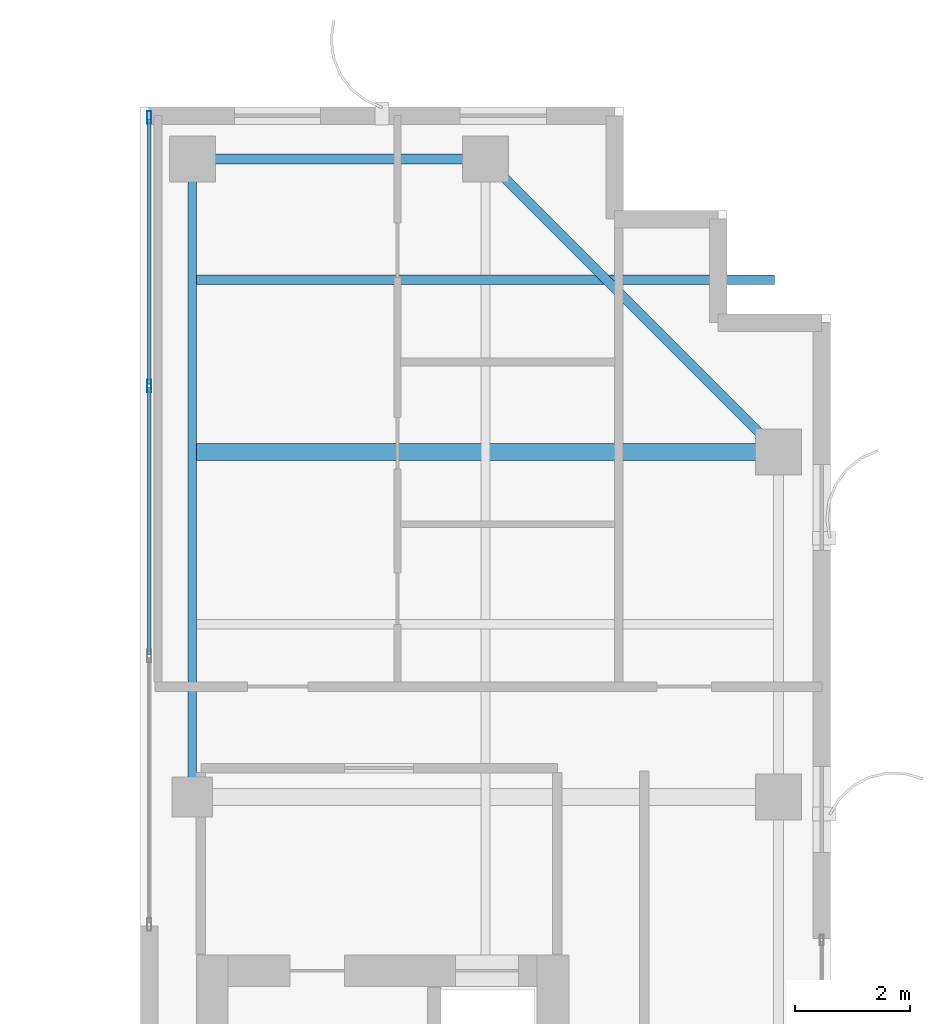
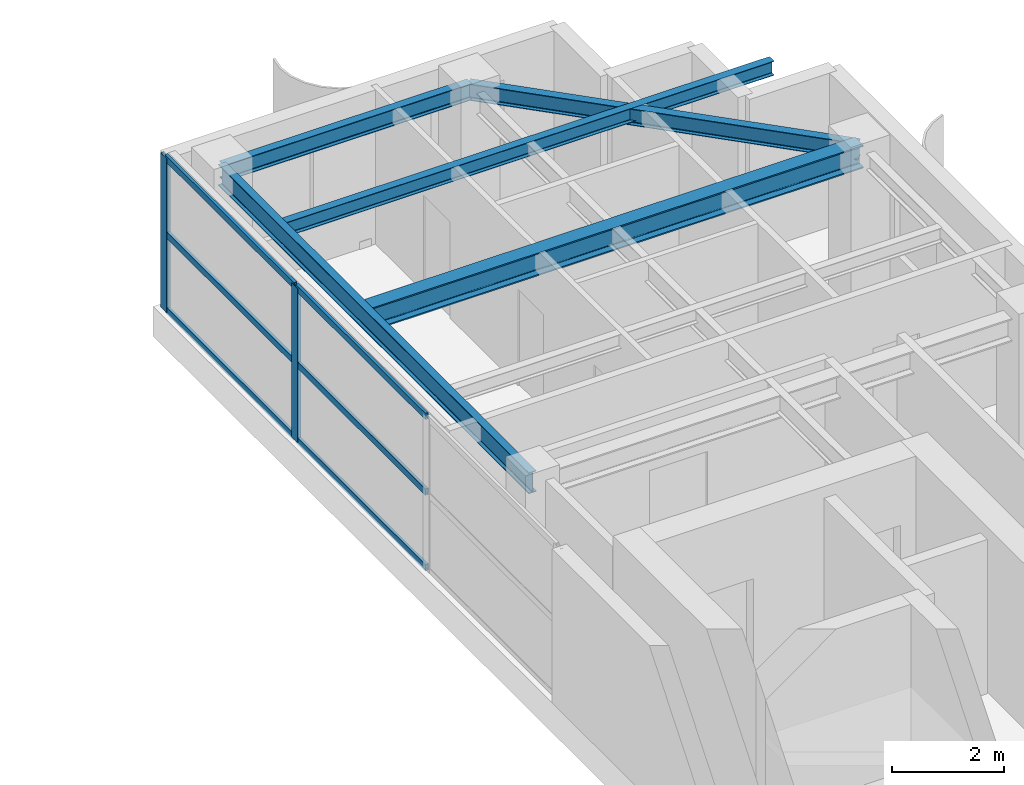
# One storey, part 16 of 24: 8 members, 5 beams, 1 element without a shape of its own.
"""IFC4 building model written with IfcOpenShell, lengths in metres."""

from ifc_helpers import new_model, si_unit, direction, frame, origin, origin_2d, place, context, subcontext, project, spatial, hollow_rectangle, i_section, extrude, source, transform, mapped, material, layer, layer_set, material_profile, profile_set, type_object, element, aggregate, save


model = new_model("IFC4")

# Units and contexts
model_context = context("Model", 3, precision=1e-05, world=origin(), true_north=direction((0.0, 1.0)))
body_context = subcontext(model_context, "Body", "Model", "MODEL_VIEW")
ifc_project = project(units=[si_unit("LENGTHUNIT", "METRE"), si_unit("AREAUNIT", "SQUARE_METRE"), si_unit("VOLUMEUNIT", "CUBIC_METRE"), si_unit("PLANEANGLEUNIT", "RADIAN"), si_unit("MASSUNIT", "GRAM", prefix="KILO")], contexts=[model_context])

# Site, building, storey
site_placement = place(None, origin())
site = spatial("IfcSite", under=ifc_project, at=site_placement, CompositionType="ELEMENT")
building_placement = place(site_placement, origin())
building = spatial("IfcBuilding", under=site, at=building_placement, Name="Khoralis Quay Care Tower", CompositionType="ELEMENT")
storey_placement = place(building_placement, frame((0.0, 0.0, 227.699951171875)))
storey = spatial("IfcBuildingStorey", under=building, at=storey_placement, Name="L59", CompositionType="ELEMENT", Elevation=227.699951171875)

# Beams
ifc_material_1 = material(Name="Steel S355", Category="steel")
ifc_material_profile_1 = material_profile(ifc_material_1, i_section(OverallWidth=0.169921875, OverallDepth=0.360107421875, WebThickness=0.008056640625, FlangeThickness=0.0126953125, FilletRadius=0.01806640625, at=origin_2d()), Name="Steel S355")
ifc_profile_set_1 = profile_set([ifc_material_profile_1], Name="Steel S355")
beam_type_1 = type_object("IfcBeamType", Name="BM-IPE360", PredefinedType="SPANDREL", material=ifc_profile_set_1)
shared_shape_1 = source(origin(), body_context, "Body", "SweptSolid", [
    extrude(i_section(OverallWidth=0.169921875, OverallDepth=0.360107421875, WebThickness=0.008056640625, FlangeThickness=0.0126953125, FilletRadius=0.01806640625, at=origin_2d()), origin(), (0.0, 0.0, 1.0), 5.10009765625),
])
beam_1_placement = place(storey_placement, frame((30.89990234375, 41.10009765625, 3.179931640625), z_axis=(1.0, 0.0, 0.0), x_axis=(0.0, 1.0, 0.0)))
element("IfcBeam", 1, at=beam_1_placement, inside=storey, type_object=beam_type_1, Name="BM-TSP-L59-04", PredefinedType="SPANDREL", context=body_context, shape_type="MappedRepresentation", body=[
    mapped(shared_shape_1, transform((0.0, 0.0, 0.0), scale=1.0)),
])
ifc_material_profile_2 = material_profile(ifc_material_1, i_section(OverallWidth=0.154052734375, OverallDepth=0.458984375, WebThickness=0.009033203125, FlangeThickness=0.015380859375, FilletRadius=0.014892578125, at=origin_2d()), Name="Steel S355")
ifc_profile_set_2 = profile_set([ifc_material_profile_2], Name="Steel S355")
beam_type_2 = type_object("IfcBeamType", Name="BM-W460X68", PredefinedType="BEAM", material=ifc_profile_set_2)
shared_shape_2 = source(origin(), body_context, "Body", "SweptSolid", [
    extrude(i_section(OverallWidth=0.154052734375, OverallDepth=0.458984375, WebThickness=0.009033203125, FlangeThickness=0.015380859375, FilletRadius=0.014892578125, at=origin_2d()), origin(), (0.0, 0.0, 1.0), 11.10009765625),
])
beam_2_placement = place(storey_placement, frame((30.89990234375, 30.0, 3.130615234375), z_axis=(0.0, 1.0, 0.0), x_axis=(-1.0, 0.0, 0.0)))
element("IfcBeam", 2, at=beam_2_placement, inside=storey, type_object=beam_type_2, Name="BM-TGYN-L59-309", PredefinedType="BEAM", context=body_context, shape_type="MappedRepresentation", body=[
    mapped(shared_shape_2, transform((0.0, 0.0, 0.0), scale=1.0)),
])
shared_shape_3 = source(origin(), body_context, "Body", "SweptSolid", [
    extrude(i_section(OverallWidth=0.169921875, OverallDepth=0.360107421875, WebThickness=0.008056640625, FlangeThickness=0.0126953125, FilletRadius=0.01806640625, at=origin_2d()), origin(), (0.0, 0.0, 1.0), 7.212646484375),
])
beam_3_placement = place(storey_placement, frame((36.0, 41.10009765625, 3.179931640625), z_axis=(0.707106781187, -0.707106781187, 0.0), x_axis=(0.707106781187, 0.707106781187, 0.0)))
element("IfcBeam", 3, at=beam_3_placement, inside=storey, type_object=beam_type_1, Name="BM-TCR-L59-16", PredefinedType="SPANDREL", context=body_context, shape_type="MappedRepresentation", body=[
    mapped(shared_shape_3, transform((0.0, 0.0, 0.0), scale=1.0)),
])
ifc_material_profile_3 = material_profile(ifc_material_1, i_section(OverallWidth=0.300048828125, OverallDepth=0.5, WebThickness=0.014404296875, FlangeThickness=0.028076171875, FilletRadius=0.027099609375, at=origin_2d()), Name="Steel S355")
ifc_profile_set_3 = profile_set([ifc_material_profile_3], Name="Steel S355")
beam_type_3 = type_object("IfcBeamType", Name="BM-HEB500", PredefinedType="BEAM", material=ifc_profile_set_3)
shared_shape_4 = source(origin(), body_context, "Body", "SweptSolid", [
    extrude(i_section(OverallWidth=0.300048828125, OverallDepth=0.5, WebThickness=0.014404296875, FlangeThickness=0.028076171875, FilletRadius=0.027099609375, at=origin_2d()), origin(), (0.0, 0.0, 1.0), 10.135009765625),
])
beam_4_placement = place(storey_placement, frame((30.965087890625, 36.0, 3.110107421875), z_axis=(1.0, 0.0, 0.0), x_axis=(0.0, 1.0, 0.0)))
element("IfcBeam", 4, at=beam_4_placement, inside=storey, type_object=beam_type_3, Name="BM-TGXE-L59-360", PredefinedType="BEAM", context=body_context, shape_type="MappedRepresentation", body=[
    mapped(shared_shape_4, transform((0.0, 0.0, 0.0), scale=1.0)),
])
ifc_material_profile_4 = material_profile(ifc_material_1, i_section(OverallWidth=0.1650390625, OverallDepth=0.31005859375, WebThickness=0.005859375, FlangeThickness=0.009765625, FilletRadius=0.011962890625, at=origin_2d()), Name="Steel S355")
ifc_profile_set_4 = profile_set([ifc_material_profile_4], Name="Steel S355")
beam_type_4 = type_object("IfcBeamType", Name="BM-W310X39", PredefinedType="JOIST", material=ifc_profile_set_4)
shared_shape_5 = source(origin(), body_context, "Body", "SweptSolid", [
    extrude(i_section(OverallWidth=0.1650390625, OverallDepth=0.31005859375, WebThickness=0.005859375, FlangeThickness=0.009765625, FilletRadius=0.011962890625, at=origin_2d()), origin(), (0.0, 0.0, 1.0), 10.06396484375),
])
beam_5_placement = place(storey_placement, frame((30.965087890625, 39.0, 3.205078125), z_axis=(1.0, 0.0, 0.0), x_axis=(0.0, 1.0, 0.0)))
element("IfcBeam", 5, at=beam_5_placement, inside=storey, type_object=beam_type_4, Name="BM-TJS-L59-22", PredefinedType="JOIST", context=body_context, shape_type="MappedRepresentation", body=[
    mapped(shared_shape_5, transform((0.0, 0.0, 0.0), scale=1.0)),
])

# Curtain wall, members
ifc_material_2 = material(Name="Pale anodised aluminium", Category="aluminium")
ifc_layer = layer(ifc_material_2, 0.18994140625)
ifc_layer_set = layer_set([ifc_layer], Name="Pale anodised aluminium")
curtain_wall_type = type_object("IfcCurtainWallType", Name="CW-SYS-PORTAL", PredefinedType="NOTDEFINED", material=ifc_layer_set)
curtain_wall_placement = place(storey_placement, origin())
curtain_wall = element("IfcCurtainWall", 6, at=curtain_wall_placement, inside=storey, type_object=curtain_wall_type, Name="L59 Unitised Curtain Wall CW-VP-L59-P2-N", PredefinedType="NOTDEFINED")
ifc_material_profile_5 = material_profile(ifc_material_2, hollow_rectangle(XDim=0.06005859375, YDim=0.139892578125, WallThickness=0.00390625, at=origin_2d()), Name="Pale anodised aluminium")
ifc_profile_set_5 = profile_set([ifc_material_profile_5], Name="Pale anodised aluminium")
member_type_1 = type_object("IfcMemberType", Name="CW-TRN-140", PredefinedType="USERDEFINED", material=ifc_profile_set_5)
shared_shape_6 = source(origin(), body_context, "Body", "SweptSolid", [
    extrude(hollow_rectangle(XDim=0.06005859375, YDim=0.139892578125, WallThickness=0.00390625, at=origin_2d()), origin(), (0.0, 0.0, 1.0), 4.610107421875),
])
member_1_placement = place(storey_placement, frame((30.14990234375, 37.179931640625, 0.030029296875), z_axis=(0.0, 1.0, 0.0), x_axis=(-1.0, 0.0, 0.0)))
member_1 = element("IfcMember", 7, at=member_1_placement, type_object=member_type_1, Name="CW4 transom 3.1", ObjectType="TRANSOM", PredefinedType="USERDEFINED", context=body_context, shape_type="MappedRepresentation", body=[
    mapped(shared_shape_6, transform((0.0, 0.0, 0.0), scale=1.0)),
])
member_2_placement = place(storey_placement, frame((30.14990234375, 37.179931640625, 1.679931640625), z_axis=(0.0, 1.0, 0.0), x_axis=(-1.0, 0.0, 0.0)))
member_2 = element("IfcMember", 8, at=member_2_placement, type_object=member_type_1, Name="CW4 transom 3.2", ObjectType="TRANSOM", PredefinedType="USERDEFINED", context=body_context, shape_type="MappedRepresentation", body=[
    mapped(shared_shape_6, transform((0.0, 0.0, 0.0), scale=1.0)),
])
member_3_placement = place(storey_placement, frame((30.14990234375, 37.179931640625, 3.330078125), z_axis=(0.0, 1.0, 0.0), x_axis=(-1.0, 0.0, 0.0)))
member_3 = element("IfcMember", 9, at=member_3_placement, type_object=member_type_1, Name="CW4 transom 3.3", ObjectType="TRANSOM", PredefinedType="USERDEFINED", context=body_context, shape_type="MappedRepresentation", body=[
    mapped(shared_shape_6, transform((0.0, 0.0, 0.0), scale=1.0)),
])
shared_shape_7 = source(origin(), body_context, "Body", "SweptSolid", [
    extrude(hollow_rectangle(XDim=0.06005859375, YDim=0.139892578125, WallThickness=0.00390625, at=origin_2d()), origin(), (0.0, 0.0, 1.0), 4.64013671875),
])
member_4_placement = place(storey_placement, frame((30.14990234375, 32.47998046875, 0.030029296875), z_axis=(0.0, 1.0, 0.0), x_axis=(-1.0, 0.0, 0.0)))
member_4 = element("IfcMember", 10, at=member_4_placement, type_object=member_type_1, Name="CW4 transom 2.1", ObjectType="TRANSOM", PredefinedType="USERDEFINED", context=body_context, shape_type="MappedRepresentation", body=[
    mapped(shared_shape_7, transform((0.0, 0.0, 0.0), scale=1.0)),
])
member_5_placement = place(storey_placement, frame((30.14990234375, 32.47998046875, 1.679931640625), z_axis=(0.0, 1.0, 0.0), x_axis=(-1.0, 0.0, 0.0)))
member_5 = element("IfcMember", 11, at=member_5_placement, type_object=member_type_1, Name="CW4 transom 2.2", ObjectType="TRANSOM", PredefinedType="USERDEFINED", context=body_context, shape_type="MappedRepresentation", body=[
    mapped(shared_shape_7, transform((0.0, 0.0, 0.0), scale=1.0)),
])
member_6_placement = place(storey_placement, frame((30.14990234375, 32.47998046875, 3.330078125), z_axis=(0.0, 1.0, 0.0), x_axis=(-1.0, 0.0, 0.0)))
member_6 = element("IfcMember", 12, at=member_6_placement, type_object=member_type_1, Name="CW4 transom 2.3", ObjectType="TRANSOM", PredefinedType="USERDEFINED", context=body_context, shape_type="MappedRepresentation", body=[
    mapped(shared_shape_7, transform((0.0, 0.0, 0.0), scale=1.0)),
])
ifc_material_profile_6 = material_profile(ifc_material_2, hollow_rectangle(XDim=0.074951171875, YDim=0.219970703125, WallThickness=0.00390625, at=origin_2d()), Name="Pale anodised aluminium")
ifc_profile_set_6 = profile_set([ifc_material_profile_6], Name="Pale anodised aluminium")
member_type_2 = type_object("IfcMemberType", Name="CW-MUL-220", PredefinedType="MULLION", material=ifc_profile_set_6)
shared_shape_8 = source(origin(), body_context, "Body", "SweptSolid", [
    extrude(hollow_rectangle(XDim=0.074951171875, YDim=0.219970703125, WallThickness=0.00390625, at=origin_2d()), origin(), (0.0, 0.0, 1.0), 3.360107421875),
])
member_7_placement = place(storey_placement, frame((30.14990234375, 37.14990234375, 0.0), z_axis=(0.0, 0.0, 1.0), x_axis=(-1.0, 0.0, 0.0)))
member_7 = element("IfcMember", 13, at=member_7_placement, type_object=member_type_2, Name="CW4 mullion 3", PredefinedType="MULLION", context=body_context, shape_type="MappedRepresentation", body=[
    mapped(shared_shape_8, transform((0.0, 0.0, 0.0), scale=1.0)),
])
member_8_placement = place(storey_placement, frame((30.14990234375, 41.820068359375, 0.0), z_axis=(0.0, 0.0, 1.0), x_axis=(-1.0, 0.0, 0.0)))
member_8 = element("IfcMember", 14, at=member_8_placement, type_object=member_type_2, Name="CW4 mullion 4", PredefinedType="MULLION", context=body_context, shape_type="MappedRepresentation", body=[
    mapped(shared_shape_8, transform((0.0, 0.0, 0.0), scale=1.0)),
])
aggregate(curtain_wall, [member_7, member_8, member_4, member_5, member_6, member_1, member_2, member_3])

save(model, "model.ifc")
